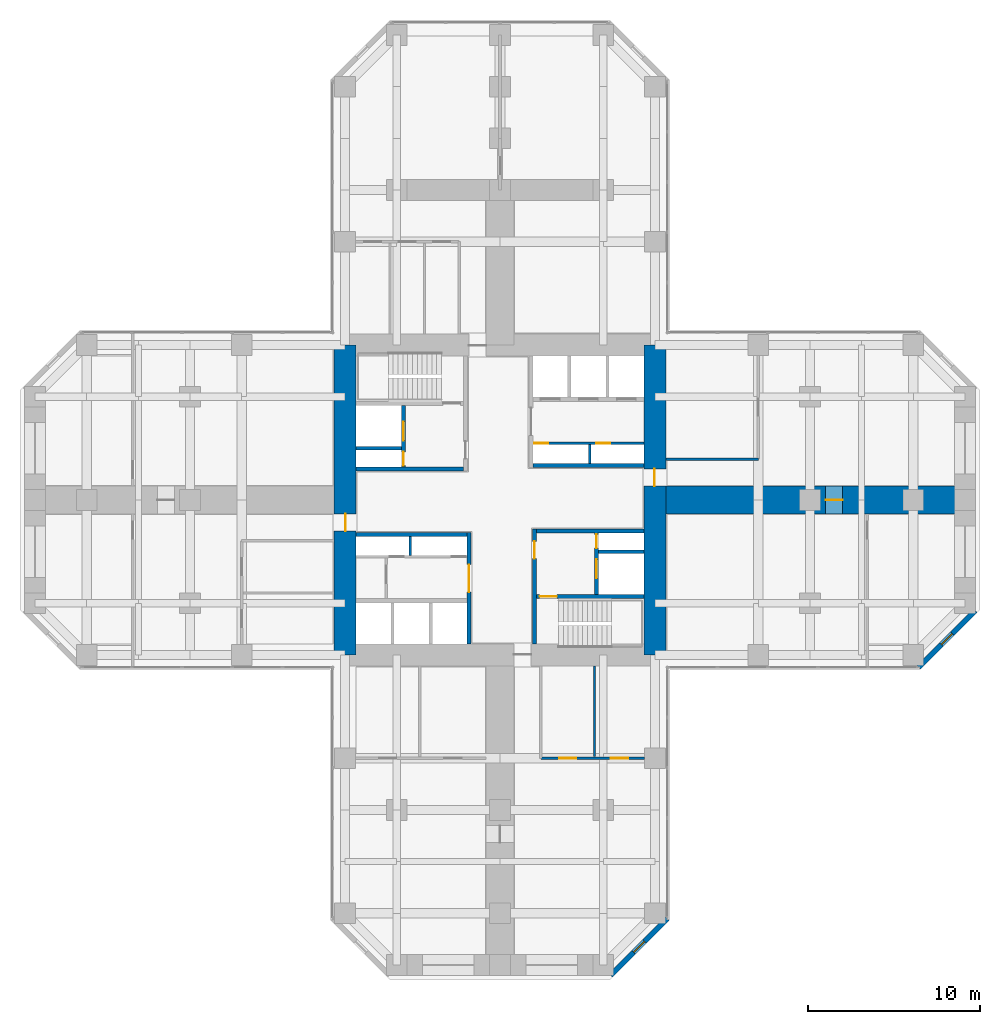
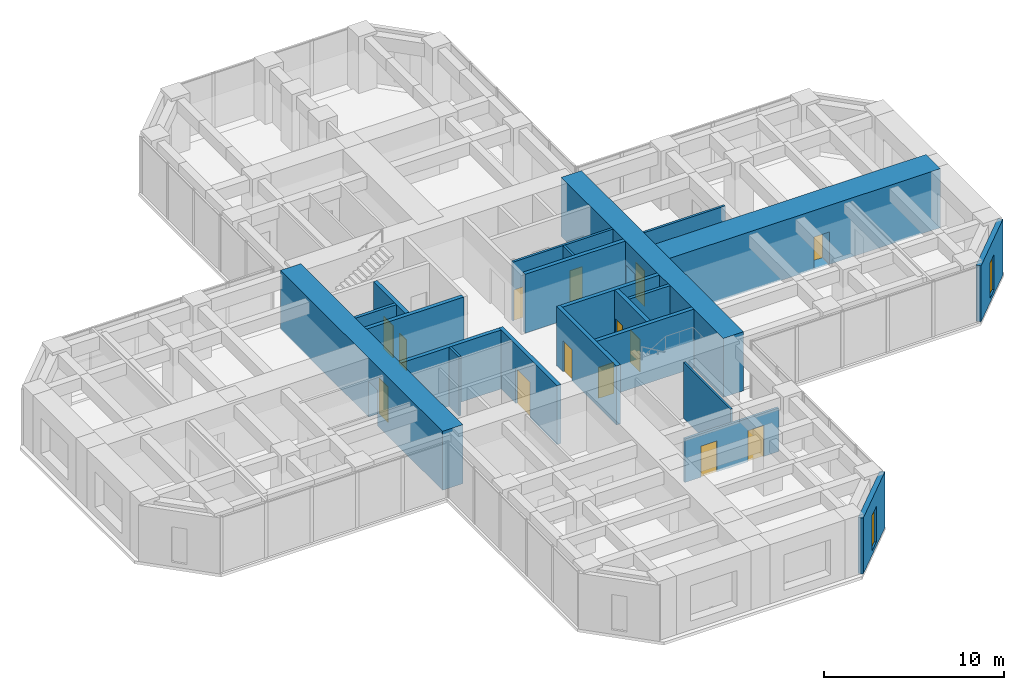
# One storey, part 9 of 12: 22 walls, 14 doors, 2 windows, 16 openings.
"""IFC4 building model written with IfcOpenShell, lengths in metres."""

from ifc_helpers import new_model, si_unit, direction, frame, frame_2d, origin, place, context, subcontext, project, spatial, rectangle, hollow_rectangle, extrude, material, layer, layer_set, constituent, constituent_set, type_object, element, fill, save


model = new_model("IFC4")

# Units and contexts
model_context = context("Model", 3, precision=1e-05, world=origin(), true_north=direction((0.0, 1.0)))
body_context = subcontext(model_context, "Body", "Model", "MODEL_VIEW")
ifc_project = project(units=[si_unit("LENGTHUNIT", "METRE"), si_unit("AREAUNIT", "SQUARE_METRE"), si_unit("VOLUMEUNIT", "CUBIC_METRE"), si_unit("PLANEANGLEUNIT", "RADIAN"), si_unit("MASSUNIT", "GRAM", prefix="KILO")], contexts=[model_context])

# Site, building, storey
site_placement = place(None, origin())
site = spatial("IfcSite", under=ifc_project, at=site_placement, CompositionType="ELEMENT")
building_placement = place(site_placement, origin())
building = spatial("IfcBuilding", under=site, at=building_placement, Name="Torre Cruceta", CompositionType="ELEMENT")
storey_placement = place(building_placement, frame((0.0, 0.0, 35.5)))
storey = spatial("IfcBuildingStorey", under=building, at=storey_placement, Name="L08", CompositionType="ELEMENT", Elevation=35.5)

# Walls
ifc_material_1 = material(Name="Concrete G60 (fck 60 MPa)", Category="concrete")
ifc_layer_1 = layer(ifc_material_1, 0.25)
ifc_layer_set_1 = layer_set([ifc_layer_1], Name="Concrete G60 (fck 60 MPa)")
wall_type_1 = type_object("IfcWallType", Name="CORE INNER WALL 250 G60", PredefinedType="SHEAR", material=ifc_layer_set_1)
wall_1_placement = place(storey_placement, frame((1.925048828125, 2.0, 0.0), z_axis=(0.0, 0.0, 1.0), x_axis=(1.0, 0.0, 0.0)))
element("IfcWall", 1, at=wall_1_placement, inside=storey, type_object=wall_type_1, Name="CW4 L08 NE-CV", PredefinedType="SHEAR", context=body_context, shape_type="SweptSolid", body=[
    extrude(rectangle(XDim=6.425048828125, YDim=0.25, at=frame_2d((3.21240234375, 0.0))), origin(), (0.0, 0.0, 1.0), 4.0),
])
wall_2_placement = place(storey_placement, frame((-2.125, 1.800048828125, 0.0), z_axis=(0.0, 0.0, 1.0), x_axis=(-1.0, 0.0, 0.0)))
element("IfcWall", 2, at=wall_2_placement, inside=storey, type_object=wall_type_1, Name="CW4 L08 NW-CV", PredefinedType="SHEAR", context=body_context, shape_type="SweptSolid", body=[
    extrude(rectangle(XDim=6.22509765625, YDim=0.25, at=frame_2d((3.112548828125, 0.0))), origin(), (0.0, 0.0, 1.0), 4.0),
])

# Wall, openings, doors
wall_3_placement = place(storey_placement, frame((-5.60009765625, 1.925048828125, 0.0), z_axis=(0.0, 0.0, 1.0), x_axis=(0.0, 1.0, 0.0)))
wall_3 = element("IfcWall", 3, at=wall_3_placement, inside=storey, type_object=wall_type_1, Name="CW4 L08 NW-FU", PredefinedType="SHEAR", context=body_context, shape_type="SweptSolid", body=[
    extrude(rectangle(XDim=3.550048828125, YDim=0.25, at=frame_2d((1.77490234375, 0.0))), origin(), (0.0, 0.0, 1.0), 4.0),
])
opening_1_placement = place(wall_3_placement, frame((1.52490234375, 0.0, 0.0)))
opening_1 = element("IfcOpeningElement", 4, at=opening_1_placement, cuts=wall_3, Name="Opening LD1", PredefinedType="OPENING", context=body_context, shape_type="SweptSolid", body=[
    extrude(rectangle(XDim=1.10009765625, YDim=2.199951171875, at=frame_2d((0.550048828125, 1.10009765625))), frame((0.0, 0.135009765625, 0.0), z_axis=(0.0, -1.0, 0.0), x_axis=(1.0, 0.0, 0.0)), (0.0, 0.0, 1.0), 0.27001953125),
])
opening_2_placement = place(wall_3_placement, frame((0.074951171875, 0.0, 0.0)))
opening_2 = element("IfcOpeningElement", 5, at=opening_2_placement, cuts=wall_3, Name="Opening D5", PredefinedType="OPENING", context=body_context, shape_type="SweptSolid", body=[
    extrude(rectangle(XDim=0.800048828125, YDim=2.10009765625, at=frame_2d((0.39990234375, 1.050048828125))), frame((0.0, 0.135009765625, 0.0), z_axis=(0.0, -1.0, 0.0), x_axis=(1.0, 0.0, 0.0)), (0.0, 0.0, 1.0), 0.27001953125),
])
ifc_material_2 = material(Name="Stainless steel 1.4401", Category="steel")
door_type_1 = type_object("IfcDoorType", Name="LIFT LANDING DOOR 1100X2200", OperationType="DOUBLE_DOOR_SLIDING", PredefinedType="DOOR", material=ifc_material_2)
door_1_placement = place(opening_1_placement, origin())
door_1 = element("IfcDoor", 6, at=door_1_placement, inside=storey, type_object=door_type_1, Name="Lift landing door FL1", OperationType="DOUBLE_DOOR_SLIDING", OverallHeight=2.199951171875, OverallWidth=1.10009765625, PredefinedType="DOOR", context=body_context, shape_type="SweptSolid", body=[
    extrude(rectangle(XDim=1.10009765625, YDim=2.199951171875, at=frame_2d((0.550048828125, 1.10009765625))), frame((0.0, 0.02490234375, 0.0), z_axis=(0.0, -1.0, 0.0), x_axis=(1.0, 0.0, 0.0)), (0.0, 0.0, 1.0), 0.050048828125),
])
fill(opening_1, door_1)
ifc_material_3 = material(Name="Steel DX51D", Category="steel")
ifc_constituent_1 = constituent(ifc_material_3, Name="Leaf and frame")
ifc_material_4 = material(Name="Polyester powder coating", Category="paint")
ifc_constituent_2 = constituent(ifc_material_4, Name="Finish")
ifc_constituent_set_1 = constituent_set(constituents=[ifc_constituent_1, ifc_constituent_2], Name="Steel fire door")
door_type_2 = type_object("IfcDoorType", Name="RISER ACCESS DOOR 800X2100", OperationType="SINGLE_SWING_LEFT", PredefinedType="DOOR", material=ifc_constituent_set_1)
door_2_placement = place(opening_2_placement, origin())
door_2 = element("IfcDoor", 7, at=door_2_placement, inside=storey, type_object=door_type_2, Name="D5 L08 NW-RISER", OperationType="SINGLE_SWING_LEFT", OverallHeight=2.10009765625, OverallWidth=0.800048828125, PredefinedType="DOOR", context=body_context, shape_type="SweptSolid", body=[
    extrude(rectangle(XDim=0.800048828125, YDim=2.10009765625, at=frame_2d((0.39990234375, 1.050048828125))), frame((0.0, 0.02490234375, 0.0), z_axis=(0.0, -1.0, 0.0), x_axis=(1.0, 0.0, 0.0)), (0.0, 0.0, 1.0), 0.050048828125),
])
fill(opening_2, door_2)

# Wall, opening, door
wall_4_placement = place(storey_placement, frame((-1.800048828125, -1.875, 0.0), z_axis=(0.0, 0.0, 1.0), x_axis=(0.0, -1.0, 0.0)))
wall_4 = element("IfcWall", 8, at=wall_4_placement, inside=storey, type_object=wall_type_1, Name="CW4 L08 SW-CU", PredefinedType="SHEAR", context=body_context, shape_type="SweptSolid", body=[
    extrude(rectangle(XDim=6.47509765625, YDim=0.25, at=frame_2d((3.237548828125, 0.0))), origin(), (0.0, 0.0, 1.0), 4.0),
])
opening_3_placement = place(wall_4_placement, frame((1.875, 0.0, 0.0)))
opening_3 = element("IfcOpeningElement", 9, at=opening_3_placement, cuts=wall_4, Name="Opening D15", PredefinedType="OPENING", context=body_context, shape_type="SweptSolid", body=[
    extrude(rectangle(XDim=1.60009765625, YDim=2.39990234375, at=frame_2d((0.800048828125, 1.199951171875))), frame((0.0, 0.135009765625, 0.0), z_axis=(0.0, -1.0, 0.0), x_axis=(1.0, 0.0, 0.0)), (0.0, 0.0, 1.0), 0.27001953125),
])
ifc_material_5 = material(Name="Steel DX51D", Category="steel")
ifc_constituent_3 = constituent(ifc_material_5, Name="Leaf and frame")
ifc_material_6 = material(Name="Polyester powder coating", Category="paint")
ifc_constituent_4 = constituent(ifc_material_6, Name="Finish")
ifc_constituent_set_2 = constituent_set(constituents=[ifc_constituent_3, ifc_constituent_4], Name="Steel fire door")
door_type_3 = type_object("IfcDoorType", Name="CORE ROOM DOUBLE DOOR 1600X2400", OperationType="DOUBLE_DOOR_SINGLE_SWING", PredefinedType="DOOR", material=ifc_constituent_set_2)
door_3_placement = place(opening_3_placement, frame((1.60009765625, 0.0, 0.0), z_axis=(0.0, 0.0, 1.0), x_axis=(-1.0, 0.0, 0.0)))
door_3 = element("IfcDoor", 10, at=door_3_placement, inside=storey, type_object=door_type_3, Name="D15 L08 SW-LOBBY", OperationType="DOUBLE_DOOR_SINGLE_SWING", OverallHeight=2.39990234375, OverallWidth=1.60009765625, PredefinedType="DOOR", context=body_context, shape_type="SweptSolid", body=[
    extrude(rectangle(XDim=1.60009765625, YDim=2.39990234375, at=frame_2d((0.800048828125, 1.199951171875))), frame((0.0, 0.025146484375, 0.0), z_axis=(0.0, -1.0, 0.0), x_axis=(1.0, 0.0, 0.0)), (0.0, 0.0, 1.0), 0.050048828125),
])
fill(opening_3, door_3)

# Wall
wall_5_placement = place(storey_placement, frame((-1.925048828125, -2.0, 0.0), z_axis=(0.0, 0.0, 1.0), x_axis=(-1.0, 0.0, 0.0)))
element("IfcWall", 11, at=wall_5_placement, inside=storey, type_object=wall_type_1, Name="CW4 L08 SW-CV", PredefinedType="SHEAR", context=body_context, shape_type="SweptSolid", body=[
    extrude(rectangle(XDim=6.425048828125, YDim=0.25, at=frame_2d((3.21240234375, 0.0))), origin(), (0.0, 0.0, 1.0), 4.0),
])

# Wall, opening, door
wall_6_placement = place(storey_placement, frame((2.0, -1.675048828125, 0.0), z_axis=(0.0, 0.0, 1.0), x_axis=(0.0, -1.0, 0.0)))
wall_6 = element("IfcWall", 12, at=wall_6_placement, inside=storey, type_object=wall_type_1, Name="CW4 L08 SE-CU", PredefinedType="SHEAR", context=body_context, shape_type="SweptSolid", body=[
    extrude(rectangle(XDim=6.675048828125, YDim=0.25, at=frame_2d((3.33740234375, 0.0))), origin(), (0.0, 0.0, 1.0), 4.0),
])
opening_4_placement = place(wall_6_placement, frame((0.72509765625, 0.0, 0.0)))
opening_4 = element("IfcOpeningElement", 13, at=opening_4_placement, cuts=wall_6, Name="Opening D3", PredefinedType="OPENING", context=body_context, shape_type="SweptSolid", body=[
    extrude(rectangle(XDim=1.0, YDim=2.10009765625, at=frame_2d((0.5, 1.050048828125))), frame((0.0, 0.135009765625, 0.0), z_axis=(0.0, -1.0, 0.0), x_axis=(1.0, 0.0, 0.0)), (0.0, 0.0, 1.0), 0.27001953125),
])
ifc_material_7 = material(Name="Steel DX51D", Category="steel")
ifc_constituent_5 = constituent(ifc_material_7, Name="Leaf and frame")
ifc_material_8 = material(Name="Polyester powder coating", Category="paint")
ifc_constituent_6 = constituent(ifc_material_8, Name="Finish")
ifc_constituent_set_3 = constituent_set(constituents=[ifc_constituent_5, ifc_constituent_6], Name="Steel fire door")
door_type_4 = type_object("IfcDoorType", Name="FIRE DOOR 1000X2100", OperationType="SINGLE_SWING_LEFT", PredefinedType="DOOR", material=ifc_constituent_set_3)
door_4_placement = place(opening_4_placement, origin())
door_4 = element("IfcDoor", 14, at=door_4_placement, inside=storey, type_object=door_type_4, Name="D3 L08 SE-LOBBY", OperationType="SINGLE_SWING_LEFT", OverallHeight=2.10009765625, OverallWidth=1.0, PredefinedType="DOOR", context=body_context, shape_type="SweptSolid", body=[
    extrude(rectangle(XDim=1.0, YDim=2.10009765625, at=frame_2d((0.5, 1.050048828125))), frame((0.0, 0.02490234375, 0.0), z_axis=(0.0, -1.0, 0.0), x_axis=(1.0, 0.0, 0.0)), (0.0, 0.0, 1.0), 0.050048828125),
])
fill(opening_4, door_4)

# Wall
wall_7_placement = place(storey_placement, frame((2.125, -1.800048828125, 0.0), z_axis=(0.0, 0.0, 1.0), x_axis=(1.0, 0.0, 0.0)))
element("IfcWall", 15, at=wall_7_placement, inside=storey, type_object=wall_type_1, Name="CW4 L08 SE-CV", PredefinedType="SHEAR", context=body_context, shape_type="SweptSolid", body=[
    extrude(rectangle(XDim=6.22509765625, YDim=0.25, at=frame_2d((3.112548828125, 0.0))), origin(), (0.0, 0.0, 1.0), 4.0),
])

# Wall, opening, door
wall_8_placement = place(storey_placement, frame((2.125, -5.60009765625, 0.0), z_axis=(0.0, 0.0, 1.0), x_axis=(1.0, 0.0, 0.0)))
wall_8 = element("IfcWall", 16, at=wall_8_placement, inside=storey, type_object=wall_type_1, Name="CW4 L08 SE-SV", PredefinedType="SHEAR", context=body_context, shape_type="SweptSolid", body=[
    extrude(rectangle(XDim=6.22509765625, YDim=0.25, at=frame_2d((3.112548828125, 0.0))), origin(), (0.0, 0.0, 1.0), 4.0),
])
opening_5_placement = place(wall_8_placement, frame((0.175048828125, 0.0, 0.0)))
opening_5 = element("IfcOpeningElement", 17, at=opening_5_placement, cuts=wall_8, Name="Opening D3", PredefinedType="OPENING", context=body_context, shape_type="SweptSolid", body=[
    extrude(rectangle(XDim=1.0, YDim=2.10009765625, at=frame_2d((0.5, 1.050048828125))), frame((0.0, 0.135009765625, 0.0), z_axis=(0.0, -1.0, 0.0), x_axis=(1.0, 0.0, 0.0)), (0.0, 0.0, 1.0), 0.27001953125),
])
door_5_placement = place(opening_5_placement, frame((1.0, 0.0, 0.0), z_axis=(0.0, 0.0, 1.0), x_axis=(-1.0, 0.0, 0.0)))
door_5 = element("IfcDoor", 18, at=door_5_placement, inside=storey, type_object=door_type_4, Name="D3 L08 SE-STAIR", OperationType="SINGLE_SWING_RIGHT", OverallHeight=2.10009765625, OverallWidth=1.0, PredefinedType="DOOR", context=body_context, shape_type="SweptSolid", body=[
    extrude(rectangle(XDim=1.0, YDim=2.10009765625, at=frame_2d((0.5, 1.050048828125))), frame((0.0, 0.025146484375, 0.0), z_axis=(0.0, -1.0, 0.0), x_axis=(1.0, 0.0, 0.0)), (0.0, 0.0, 1.0), 0.050048828125),
])
fill(opening_5, door_5)

# Wall, openings, doors
wall_9_placement = place(storey_placement, frame((5.60009765625, -1.925048828125, 0.0), z_axis=(0.0, 0.0, 1.0), x_axis=(0.0, -1.0, 0.0)))
wall_9 = element("IfcWall", 19, at=wall_9_placement, inside=storey, type_object=wall_type_1, Name="CW4 L08 SE-FU", PredefinedType="SHEAR", context=body_context, shape_type="SweptSolid", body=[
    extrude(rectangle(XDim=3.550048828125, YDim=0.25, at=frame_2d((1.77490234375, 0.0))), origin(), (0.0, 0.0, 1.0), 4.0),
])
opening_6_placement = place(wall_9_placement, frame((1.52490234375, 0.0, 0.0)))
opening_6 = element("IfcOpeningElement", 20, at=opening_6_placement, cuts=wall_9, Name="Opening LD1", PredefinedType="OPENING", context=body_context, shape_type="SweptSolid", body=[
    extrude(rectangle(XDim=1.10009765625, YDim=2.199951171875, at=frame_2d((0.550048828125, 1.10009765625))), frame((0.0, 0.135009765625, 0.0), z_axis=(0.0, -1.0, 0.0), x_axis=(1.0, 0.0, 0.0)), (0.0, 0.0, 1.0), 0.27001953125),
])
opening_7_placement = place(wall_9_placement, frame((0.074951171875, 0.0, 0.0)))
opening_7 = element("IfcOpeningElement", 21, at=opening_7_placement, cuts=wall_9, Name="Opening D5", PredefinedType="OPENING", context=body_context, shape_type="SweptSolid", body=[
    extrude(rectangle(XDim=0.800048828125, YDim=2.10009765625, at=frame_2d((0.39990234375, 1.050048828125))), frame((0.0, 0.135009765625, 0.0), z_axis=(0.0, -1.0, 0.0), x_axis=(1.0, 0.0, 0.0)), (0.0, 0.0, 1.0), 0.27001953125),
])
door_6_placement = place(opening_6_placement, origin())
door_6 = element("IfcDoor", 22, at=door_6_placement, inside=storey, type_object=door_type_1, Name="Lift landing door FL2", OperationType="DOUBLE_DOOR_SLIDING", OverallHeight=2.199951171875, OverallWidth=1.10009765625, PredefinedType="DOOR", context=body_context, shape_type="SweptSolid", body=[
    extrude(rectangle(XDim=1.10009765625, YDim=2.199951171875, at=frame_2d((0.550048828125, 1.10009765625))), frame((0.0, 0.02490234375, 0.0), z_axis=(0.0, -1.0, 0.0), x_axis=(1.0, 0.0, 0.0)), (0.0, 0.0, 1.0), 0.050048828125),
])
fill(opening_6, door_6)
door_7_placement = place(opening_7_placement, origin())
door_7 = element("IfcDoor", 23, at=door_7_placement, inside=storey, type_object=door_type_2, Name="D5 L08 SE-RISER", OperationType="SINGLE_SWING_LEFT", OverallHeight=2.10009765625, OverallWidth=0.800048828125, PredefinedType="DOOR", context=body_context, shape_type="SweptSolid", body=[
    extrude(rectangle(XDim=0.800048828125, YDim=2.10009765625, at=frame_2d((0.39990234375, 1.050048828125))), frame((0.0, 0.02490234375, 0.0), z_axis=(0.0, -1.0, 0.0), x_axis=(1.0, 0.0, 0.0)), (0.0, 0.0, 1.0), 0.050048828125),
])
fill(opening_7, door_7)

# Wall, opening, door
ifc_material_9 = material(Name="Concrete G60 (fck 60 MPa)", Category="concrete")
ifc_layer_2 = layer(ifc_material_9, 1.300048828125)
ifc_layer_set_2 = layer_set([ifc_layer_2], Name="Concrete G60 (fck 60 MPa)")
wall_type_2 = type_object("IfcWallType", Name="CORE WALL 1300 G60", PredefinedType="SHEAR", material=ifc_layer_set_2)
wall_10_placement = place(storey_placement, frame((9.0, -9.0, 0.0), z_axis=(0.0, 0.0, 1.0), x_axis=(0.0, 1.0, 0.0)))
wall_10 = element("IfcWall", 24, at=wall_10_placement, inside=storey, type_object=wall_type_2, Name="CW1 L08 CW-E", PredefinedType="SHEAR", context=body_context, shape_type="SweptSolid", body=[
    extrude(rectangle(XDim=18.0, YDim=1.300048828125, at=frame_2d((9.0, 0.0))), origin(), (0.0, 0.0, 1.0), 4.0),
])
opening_8_placement = place(wall_10_placement, frame((9.800048828125, 0.0, 0.0)))
opening_8 = element("IfcOpeningElement", 25, at=opening_8_placement, cuts=wall_10, Name="Opening D4", PredefinedType="OPENING", context=body_context, shape_type="SweptSolid", body=[
    extrude(rectangle(XDim=1.0, YDim=2.39990234375, at=frame_2d((0.5, 1.199951171875))), frame((0.0, 0.659912109375, 0.0), z_axis=(0.0, -1.0, 0.0), x_axis=(1.0, 0.0, 0.0)), (0.0, 0.0, 1.0), 1.320068359375),
])
ifc_material_10 = material(Name="Steel DX51D", Category="steel")
ifc_constituent_7 = constituent(ifc_material_10, Name="Leaf and frame")
ifc_material_11 = material(Name="Polyester powder coating", Category="paint")
ifc_constituent_8 = constituent(ifc_material_11, Name="Finish")
ifc_constituent_set_4 = constituent_set(constituents=[ifc_constituent_7, ifc_constituent_8], Name="Steel fire door")
door_type_5 = type_object("IfcDoorType", Name="CORE ARM DOOR 1000X2400", OperationType="SINGLE_SWING_RIGHT", PredefinedType="DOOR", material=ifc_constituent_set_4)
door_8_placement = place(opening_8_placement, frame((1.0, 0.0, 0.0), z_axis=(0.0, 0.0, 1.0), x_axis=(-1.0, 0.0, 0.0)))
door_8 = element("IfcDoor", 26, at=door_8_placement, inside=storey, type_object=door_type_5, Name="D4 L08 CW-E", OperationType="SINGLE_SWING_RIGHT", OverallHeight=2.39990234375, OverallWidth=1.0, PredefinedType="DOOR", context=body_context, shape_type="SweptSolid", body=[
    extrude(rectangle(XDim=1.0, YDim=2.39990234375, at=frame_2d((0.5, 1.199951171875))), frame((0.0, -0.005126953125, 0.0), z_axis=(0.0, -1.0, 0.0), x_axis=(1.0, 0.0, 0.0)), (0.0, 0.0, 1.0), 0.050048828125),
])
fill(opening_8, door_8)

wall_11_placement = place(storey_placement, frame((-9.0, 9.0, 0.0), z_axis=(0.0, 0.0, 1.0), x_axis=(0.0, -1.0, 0.0)))
wall_11 = element("IfcWall", 27, at=wall_11_placement, inside=storey, type_object=wall_type_2, Name="CW1 L08 CW-W", PredefinedType="SHEAR", context=body_context, shape_type="SweptSolid", body=[
    extrude(rectangle(XDim=18.0, YDim=1.300048828125, at=frame_2d((9.0, 0.0))), origin(), (0.0, 0.0, 1.0), 4.0),
])
opening_9_placement = place(wall_11_placement, frame((9.800048828125, 0.0, 0.0)))
opening_9 = element("IfcOpeningElement", 28, at=opening_9_placement, cuts=wall_11, Name="Opening D4", PredefinedType="OPENING", context=body_context, shape_type="SweptSolid", body=[
    extrude(rectangle(XDim=1.0, YDim=2.39990234375, at=frame_2d((0.5, 1.199951171875))), frame((0.0, 0.659912109375, 0.0), z_axis=(0.0, -1.0, 0.0), x_axis=(1.0, 0.0, 0.0)), (0.0, 0.0, 1.0), 1.320068359375),
])
door_9_placement = place(opening_9_placement, frame((1.0, 0.0, 0.0), z_axis=(0.0, 0.0, 1.0), x_axis=(-1.0, 0.0, 0.0)))
door_9 = element("IfcDoor", 29, at=door_9_placement, inside=storey, type_object=door_type_5, Name="D4 L08 CW-W", OperationType="SINGLE_SWING_RIGHT", OverallHeight=2.39990234375, OverallWidth=1.0, PredefinedType="DOOR", context=body_context, shape_type="SweptSolid", body=[
    extrude(rectangle(XDim=1.0, YDim=2.39990234375, at=frame_2d((0.5, 1.199951171875))), frame((0.0, -0.005126953125, 0.0), z_axis=(0.0, -1.0, 0.0), x_axis=(1.0, 0.0, 0.0)), (0.0, 0.0, 1.0), 0.050048828125),
])
fill(opening_9, door_9)

# Wall, opening, window
ifc_material_12 = material(Name="Concrete G30 (fck 30 MPa)", Category="concrete")
ifc_layer_3 = layer(ifc_material_12, 0.300048828125)
ifc_layer_set_3 = layer_set([ifc_layer_3], Name="Concrete G30 (fck 30 MPa)")
wall_type_3 = type_object("IfcWallType", Name="EXPOSED CONCRETE FACADE WALL 300", PredefinedType="SOLIDWALL", material=ifc_layer_set_3)
wall_12_placement = place(storey_placement, frame((24.29833984375, -9.719970703125, 0.0), z_axis=(0.0, 0.0, 1.0), x_axis=(0.707106781187, 0.707106781187, 0.0)))
wall_12 = element("IfcWall", 30, at=wall_12_placement, inside=storey, type_object=wall_type_3, Name="EW1 facade wall L08 E chamfer 01", PredefinedType="SOLIDWALL", context=body_context, shape_type="SweptSolid", body=[
    extrude(rectangle(XDim=4.66943359375, YDim=0.300048828125, at=frame_2d((2.334716796875, 0.0))), origin(), (0.0, 0.0, 1.0), 3.800048828125),
])
opening_10_placement = place(wall_12_placement, frame((1.884765625, 0.0, 0.300048828125)))
opening_10 = element("IfcOpeningElement", 31, at=opening_10_placement, cuts=wall_12, Name="Opening WN5", PredefinedType="OPENING", context=body_context, shape_type="SweptSolid", body=[
    extrude(rectangle(XDim=0.89990234375, YDim=2.39990234375, at=frame_2d((0.449951171875, 1.199951171875))), frame((0.0, 0.159912109375, 0.0), z_axis=(0.0, -1.0, 0.0), x_axis=(1.0, 0.0, 0.0)), (0.0, 0.0, 1.0), 0.320068359375),
])
ifc_material_13 = material(Name="Aluminium window frame", Category="aluminium")
ifc_constituent_9 = constituent(ifc_material_13, Name="Frame")
ifc_material_14 = material(Name="Laminated insulating glass unit, low-iron clear", Category="glass")
ifc_constituent_10 = constituent(ifc_material_14, Name="Glazing")
ifc_constituent_set_5 = constituent_set(constituents=[ifc_constituent_9, ifc_constituent_10], Name="Aluminium window")
window_type = type_object("IfcWindowType", Name="CHAMFER SLOT WINDOW 900X2400", PartitioningType="SINGLE_PANEL", PredefinedType="WINDOW", material=ifc_constituent_set_5)
window_1_placement = place(opening_10_placement, origin())
window_1 = element("IfcWindow", 32, at=window_1_placement, inside=storey, type_object=window_type, Name="WN5 L08 E 1", OverallHeight=2.39990234375, OverallWidth=0.89990234375, PartitioningType="SINGLE_PANEL", PredefinedType="WINDOW", context=body_context, shape_type="SweptSolid", body=[
    extrude(hollow_rectangle(XDim=0.89990234375, YDim=2.39990234375, WallThickness=0.06005859375, at=frame_2d((0.449951171875, 1.199951171875))), frame((0.0, 0.030029296875, 0.0), z_axis=(0.0, -1.0, 0.0), x_axis=(1.0, 0.0, 0.0)), (0.0, 0.0, 1.0), 0.06005859375),
    extrude(rectangle(XDim=0.77880859375, YDim=2.27880859375, at=frame_2d((0.449951171875, 1.199951171875))), frame((0.0, 0.030029296875, 0.0), z_axis=(0.0, -1.0, 0.0), x_axis=(1.0, 0.0, 0.0)), (0.0, 0.0, 1.0), 0.06005859375),
])
fill(opening_10, window_1)

wall_13_placement = place(storey_placement, frame((6.418212890625, -27.60009765625, 0.0), z_axis=(0.0, 0.0, 1.0), x_axis=(0.707106781187, 0.707106781187, 0.0)))
wall_13 = element("IfcWall", 33, at=wall_13_placement, inside=storey, type_object=wall_type_3, Name="EW1 facade wall L08 S chamfer 18", PredefinedType="SOLIDWALL", context=body_context, shape_type="SweptSolid", body=[
    extrude(rectangle(XDim=4.66943359375, YDim=0.300048828125, at=frame_2d((2.334716796875, 0.0))), origin(), (0.0, 0.0, 1.0), 3.800048828125),
])
opening_11_placement = place(wall_13_placement, frame((1.884765625, 0.0, 0.300048828125)))
opening_11 = element("IfcOpeningElement", 34, at=opening_11_placement, cuts=wall_13, Name="Opening WN5", PredefinedType="OPENING", context=body_context, shape_type="SweptSolid", body=[
    extrude(rectangle(XDim=0.89990234375, YDim=2.39990234375, at=frame_2d((0.449951171875, 1.199951171875))), frame((0.0, 0.159912109375, 0.0), z_axis=(0.0, -1.0, 0.0), x_axis=(1.0, 0.0, 0.0)), (0.0, 0.0, 1.0), 0.320068359375),
])
window_2_placement = place(opening_11_placement, origin())
window_2 = element("IfcWindow", 35, at=window_2_placement, inside=storey, type_object=window_type, Name="WN5 L08 S 1", OverallHeight=2.39990234375, OverallWidth=0.89990234375, PartitioningType="SINGLE_PANEL", PredefinedType="WINDOW", context=body_context, shape_type="SweptSolid", body=[
    extrude(hollow_rectangle(XDim=0.89990234375, YDim=2.39990234375, WallThickness=0.06005859375, at=frame_2d((0.449951171875, 1.199951171875))), frame((0.0, 0.030029296875, 0.0), z_axis=(0.0, -1.0, 0.0), x_axis=(1.0, 0.0, 0.0)), (0.0, 0.0, 1.0), 0.06005859375),
    extrude(rectangle(XDim=0.77880859375, YDim=2.27880859375, at=frame_2d((0.449951171875, 1.199951171875))), frame((0.0, 0.030029296875, 0.0), z_axis=(0.0, -1.0, 0.0), x_axis=(1.0, 0.0, 0.0)), (0.0, 0.0, 1.0), 0.06005859375),
])
fill(opening_11, window_2)

# Walls
ifc_material_15 = material(Name="Concrete G35 (fck 35 MPa)", Category="concrete")
ifc_layer_4 = layer(ifc_material_15, 0.199951171875)
ifc_layer_set_4 = layer_set([ifc_layer_4], Name="Concrete G35 (fck 35 MPa)")
wall_type_4 = type_object("IfcWallType", Name="LIFT SHAFT WALL 200", PredefinedType="PARTITIONING", material=ifc_layer_set_4)
for number, where, z_axis, x_axis, name in (
    (36, (-5.72509765625, 3.0, 0.0), (0.0, 0.0, 1.0), (-1.0, 0.0, 0.0), "SW1 L08 NW-FR"),
    (37, (5.72509765625, -3.0, 0.0), (0.0, 0.0, 1.0), (1.0, 0.0, 0.0), "SW1 L08 SE-FR"),
):
    element("IfcWall", number, at=place(storey_placement, frame(where, z_axis=z_axis, x_axis=x_axis)), inside=storey, type_object=wall_type_4, Name=name, PredefinedType="PARTITIONING", context=body_context, shape_type="SweptSolid", body=[
        extrude(rectangle(XDim=2.625, YDim=0.199951171875, at=frame_2d((1.3125, 0.0))), origin(), (0.0, 0.0, 1.0), 4.0),
    ])
ifc_material_16 = material(Name="Plasterboard on steel studs", Category="steel")
ifc_layer_5 = layer(ifc_material_16, 0.14990234375)
ifc_layer_set_5 = layer_set([ifc_layer_5], Name="Plasterboard on steel studs")
wall_type_5 = type_object("IfcWallType", Name="PARTITION 150", PredefinedType="PARTITIONING", material=ifc_layer_set_5)
wall_14_placement = place(storey_placement, frame((9.64990234375, 2.375, 0.0), z_axis=(0.0, 0.0, 1.0), x_axis=(1.0, 0.0, 0.0)))
element("IfcWall", 38, at=wall_14_placement, inside=storey, type_object=wall_type_5, Name="PT1 L08-E-BSL", PredefinedType="PARTITIONING", context=body_context, shape_type="SweptSolid", body=[
    extrude(rectangle(XDim=5.35009765625, YDim=0.14990234375, at=frame_2d((2.675048828125, 0.0))), origin(), (0.0, 0.0, 1.0), 3.800048828125),
])

# Wall, openings, doors
wall_15_placement = place(storey_placement, frame((2.375, -15.0, 0.0), z_axis=(0.0, 0.0, 1.0), x_axis=(1.0, 0.0, 0.0)))
wall_15 = element("IfcWall", 39, at=wall_15_placement, inside=storey, type_object=wall_type_5, Name="PT1 L08-S-BFL", PredefinedType="PARTITIONING", context=body_context, shape_type="SweptSolid", body=[
    extrude(rectangle(XDim=6.02490234375, YDim=0.14990234375, at=frame_2d((3.012451171875, 0.0))), origin(), (0.0, 0.0, 1.0), 2.949951171875),
])
opening_12_placement = place(wall_15_placement, frame((1.052001953125, 0.0, 0.0)))
opening_12 = element("IfcOpeningElement", 40, at=opening_12_placement, cuts=wall_15, Name="Opening D3", PredefinedType="OPENING", context=body_context, shape_type="SweptSolid", body=[
    extrude(rectangle(XDim=1.0, YDim=2.10009765625, at=frame_2d((0.5, 1.050048828125))), frame((0.0, 0.0849609375, 0.0), z_axis=(0.0, -1.0, 0.0), x_axis=(1.0, 0.0, 0.0)), (0.0, 0.0, 1.0), 0.169921875),
])
opening_13_placement = place(wall_15_placement, frame((4.064453125, 0.0, 0.0)))
opening_13 = element("IfcOpeningElement", 41, at=opening_13_placement, cuts=wall_15, Name="Opening D3", PredefinedType="OPENING", context=body_context, shape_type="SweptSolid", body=[
    extrude(rectangle(XDim=1.0, YDim=2.10009765625, at=frame_2d((0.5, 1.050048828125))), frame((0.0, 0.0849609375, 0.0), z_axis=(0.0, -1.0, 0.0), x_axis=(1.0, 0.0, 0.0)), (0.0, 0.0, 1.0), 0.169921875),
])
door_10_placement = place(opening_12_placement, origin())
door_10 = element("IfcDoor", 42, at=door_10_placement, inside=storey, type_object=door_type_4, Name="D3 L08-S-BFL-D1", OperationType="SINGLE_SWING_LEFT", OverallHeight=2.10009765625, OverallWidth=1.0, PredefinedType="DOOR", context=body_context, shape_type="SweptSolid", body=[
    extrude(rectangle(XDim=1.0, YDim=2.10009765625, at=frame_2d((0.5, 1.050048828125))), frame((0.0, 0.02490234375, 0.0), z_axis=(0.0, -1.0, 0.0), x_axis=(1.0, 0.0, 0.0)), (0.0, 0.0, 1.0), 0.050048828125),
])
fill(opening_12, door_10)
door_11_placement = place(opening_13_placement, origin())
door_11 = element("IfcDoor", 43, at=door_11_placement, inside=storey, type_object=door_type_4, Name="D3 L08-S-BFL-D2", OperationType="SINGLE_SWING_LEFT", OverallHeight=2.10009765625, OverallWidth=1.0, PredefinedType="DOOR", context=body_context, shape_type="SweptSolid", body=[
    extrude(rectangle(XDim=1.0, YDim=2.10009765625, at=frame_2d((0.5, 1.050048828125))), frame((0.0, 0.02490234375, 0.0), z_axis=(0.0, -1.0, 0.0), x_axis=(1.0, 0.0, 0.0)), (0.0, 0.0, 1.0), 0.050048828125),
])
fill(opening_13, door_11)

ifc_material_17 = material(Name="Concrete block masonry", Category="masonry")
ifc_layer_6 = layer(ifc_material_17, 0.14990234375)
ifc_layer_set_6 = layer_set([ifc_layer_6], Name="Concrete block masonry")
wall_type_6 = type_object("IfcWallType", Name="RISER WALL 150", PredefinedType="PARTITIONING", material=ifc_layer_set_6)
wall_16_placement = place(storey_placement, frame((1.925048828125, 3.300048828125, 0.0), z_axis=(0.0, 0.0, 1.0), x_axis=(1.0, 0.0, 0.0)))
wall_16 = element("IfcWall", 44, at=wall_16_placement, inside=storey, type_object=wall_type_6, Name="SW7 L08 NE-RV", PredefinedType="PARTITIONING", context=body_context, shape_type="SweptSolid", body=[
    extrude(rectangle(XDim=6.425048828125, YDim=0.14990234375, at=frame_2d((3.21240234375, 0.0))), origin(), (0.0, 0.0, 1.0), 4.0),
])
opening_14_placement = place(wall_16_placement, frame((0.074951171875, 0.0, 0.0)))
opening_14 = element("IfcOpeningElement", 45, at=opening_14_placement, cuts=wall_16, Name="Opening D5", PredefinedType="OPENING", context=body_context, shape_type="SweptSolid", body=[
    extrude(rectangle(XDim=0.800048828125, YDim=2.10009765625, at=frame_2d((0.39990234375, 1.050048828125))), frame((0.0, 0.0849609375, 0.0), z_axis=(0.0, -1.0, 0.0), x_axis=(1.0, 0.0, 0.0)), (0.0, 0.0, 1.0), 0.169921875),
])
opening_15_placement = place(wall_16_placement, frame((3.675048828125, 0.0, 0.0)))
opening_15 = element("IfcOpeningElement", 46, at=opening_15_placement, cuts=wall_16, Name="Opening D5", PredefinedType="OPENING", context=body_context, shape_type="SweptSolid", body=[
    extrude(rectangle(XDim=0.800048828125, YDim=2.10009765625, at=frame_2d((0.39990234375, 1.050048828125))), frame((0.0, 0.0849609375, 0.0), z_axis=(0.0, -1.0, 0.0), x_axis=(1.0, 0.0, 0.0)), (0.0, 0.0, 1.0), 0.169921875),
])
door_12_placement = place(opening_14_placement, frame((0.800048828125, 0.0, 0.0), z_axis=(0.0, 0.0, 1.0), x_axis=(-1.0, 0.0, 0.0)))
door_12 = element("IfcDoor", 47, at=door_12_placement, inside=storey, type_object=door_type_2, Name="D5 L08 NE-RISER1", OperationType="SINGLE_SWING_RIGHT", OverallHeight=2.10009765625, OverallWidth=0.800048828125, PredefinedType="DOOR", context=body_context, shape_type="SweptSolid", body=[
    extrude(rectangle(XDim=0.800048828125, YDim=2.10009765625, at=frame_2d((0.400146484375, 1.050048828125))), frame((0.0, 0.025146484375, 0.0), z_axis=(0.0, -1.0, 0.0), x_axis=(1.0, 0.0, 0.0)), (0.0, 0.0, 1.0), 0.050048828125),
])
fill(opening_14, door_12)
door_13_placement = place(opening_15_placement, frame((0.800048828125, 0.0, 0.0), z_axis=(0.0, 0.0, 1.0), x_axis=(-1.0, 0.0, 0.0)))
door_13 = element("IfcDoor", 48, at=door_13_placement, inside=storey, type_object=door_type_2, Name="D5 L08 NE-RISER2", OperationType="SINGLE_SWING_RIGHT", OverallHeight=2.10009765625, OverallWidth=0.800048828125, PredefinedType="DOOR", context=body_context, shape_type="SweptSolid", body=[
    extrude(rectangle(XDim=0.800048828125, YDim=2.10009765625, at=frame_2d((0.400146484375, 1.050048828125))), frame((0.0, 0.025146484375, 0.0), z_axis=(0.0, -1.0, 0.0), x_axis=(1.0, 0.0, 0.0)), (0.0, 0.0, 1.0), 0.050048828125),
])
fill(opening_15, door_13)

# Walls
for number, where, z_axis, x_axis, name in (
    (49, (5.199951171875, 2.125, 0.0), (0.0, 0.0, 1.0), (0.0, 1.0, 0.0), "SW7 L08 NE-RU"),
    (50, (-5.199951171875, -2.125, 0.0), (0.0, 0.0, 1.0), (0.0, -1.0, 0.0), "SW7 L08 SW-RU"),
):
    element("IfcWall", number, at=place(storey_placement, frame(where, z_axis=z_axis, x_axis=x_axis)), inside=storey, type_object=wall_type_6, Name=name, PredefinedType="PARTITIONING", context=body_context, shape_type="SweptSolid", body=[
        extrude(rectangle(XDim=1.10009765625, YDim=0.14990234375, at=frame_2d((0.550048828125, 0.0))), origin(), (0.0, 0.0, 1.0), 4.0),
    ])

# Wall, opening, door
ifc_material_18 = material(Name="Concrete G60 (fck 60 MPa)", Category="concrete")
ifc_layer_7 = layer(ifc_material_18, 1.60009765625)
ifc_layer_set_7 = layer_set([ifc_layer_7], Name="Concrete G60 (fck 60 MPa)")
wall_type_7 = type_object("IfcWallType", Name="SPINE WALL 1600 G60", PredefinedType="SHEAR", material=ifc_layer_set_7)
wall_17_placement = place(storey_placement, frame((9.0, 0.0, 0.0), z_axis=(0.0, 0.0, 1.0), x_axis=(1.0, 0.0, 0.0)))
wall_17 = element("IfcWall", 51, at=wall_17_placement, inside=storey, type_object=wall_type_7, Name="SW2 spine wall L08 E", PredefinedType="SHEAR", context=body_context, shape_type="SweptSolid", body=[
    extrude(rectangle(XDim=18.0, YDim=1.60009765625, at=frame_2d((9.0, 0.0))), origin(), (0.0, 0.0, 1.0), 4.0),
])
opening_16_placement = place(wall_17_placement, frame((9.89990234375, 0.0, 0.0)))
opening_16 = element("IfcOpeningElement", 52, at=opening_16_placement, cuts=wall_17, Name="Opening D14", PredefinedType="OPENING", context=body_context, shape_type="SweptSolid", body=[
    extrude(rectangle(XDim=1.0, YDim=2.199951171875, at=frame_2d((0.5, 1.10009765625))), frame((0.0, 0.81005859375, 0.0), z_axis=(0.0, -1.0, 0.0), x_axis=(1.0, 0.0, 0.0)), (0.0, 0.0, 1.0), 1.6201171875),
])
ifc_material_19 = material(Name="Steel DX51D", Category="steel")
ifc_constituent_11 = constituent(ifc_material_19, Name="Leaf and frame")
ifc_material_20 = material(Name="Polyester powder coating", Category="paint")
ifc_constituent_12 = constituent(ifc_material_20, Name="Finish")
ifc_material_21 = material(Name="Fire-resisting glass", Category="glass")
ifc_constituent_13 = constituent(ifc_material_21, Name="Vision panel")
ifc_constituent_set_6 = constituent_set(constituents=[ifc_constituent_11, ifc_constituent_12, ifc_constituent_13], Name="Steel fire door with vision panel")
door_type_6 = type_object("IfcDoorType", Name="FIRE DOOR VISION PANEL 1000X2200", OperationType="SINGLE_SWING_RIGHT", PredefinedType="DOOR", material=ifc_constituent_set_6)
door_14_placement = place(opening_16_placement, frame((1.0, 0.0, 0.0), z_axis=(0.0, 0.0, 1.0), x_axis=(-1.0, 0.0, 0.0)))
door_14 = element("IfcDoor", 53, at=door_14_placement, inside=storey, type_object=door_type_6, Name="D14 L08-E-SP1", OperationType="SINGLE_SWING_LEFT", OverallHeight=2.199951171875, OverallWidth=1.0, PredefinedType="DOOR", context=body_context, shape_type="SweptSolid", body=[
    extrude(rectangle(XDim=1.0, YDim=2.199951171875, at=frame_2d((0.5, 1.10009765625))), frame((0.0, 0.025146484375, 0.0), z_axis=(0.0, -1.0, 0.0), x_axis=(1.0, 0.0, 0.0)), (0.0, 0.0, 1.0), 0.050048828125),
])
fill(opening_16, door_14)

# Wall
ifc_material_22 = material(Name="Plasterboard on steel studs", Category="steel")
ifc_layer_8 = layer(ifc_material_22, 0.1201171875)
ifc_layer_set_8 = layer_set([ifc_layer_8], Name="Plasterboard on steel studs")
wall_type_8 = type_object("IfcWallType", Name="WC PARTITION 120", PredefinedType="PLUMBINGWALL", material=ifc_layer_set_8)
wall_18_placement = place(storey_placement, frame((5.478759765625, -9.64990234375, 0.0), z_axis=(0.0, 0.0, 1.0), x_axis=(0.0, -1.0, 0.0)))
element("IfcWall", 54, at=wall_18_placement, inside=storey, type_object=wall_type_8, Name="PT5 L08-S-BDL1", PredefinedType="PLUMBINGWALL", context=body_context, shape_type="SweptSolid", body=[
    extrude(rectangle(XDim=5.25, YDim=0.1201171875, at=frame_2d((2.625, 0.0))), origin(), (0.0, 0.0, 1.0), 3.800048828125),
])

save(model, "model.ifc")
